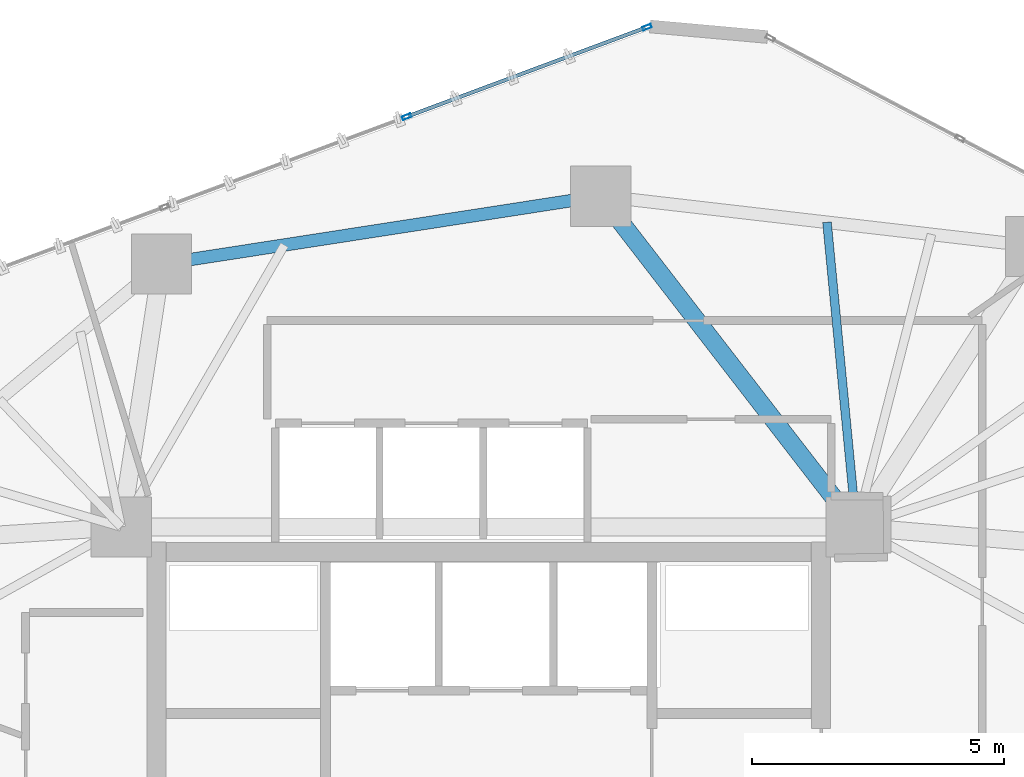
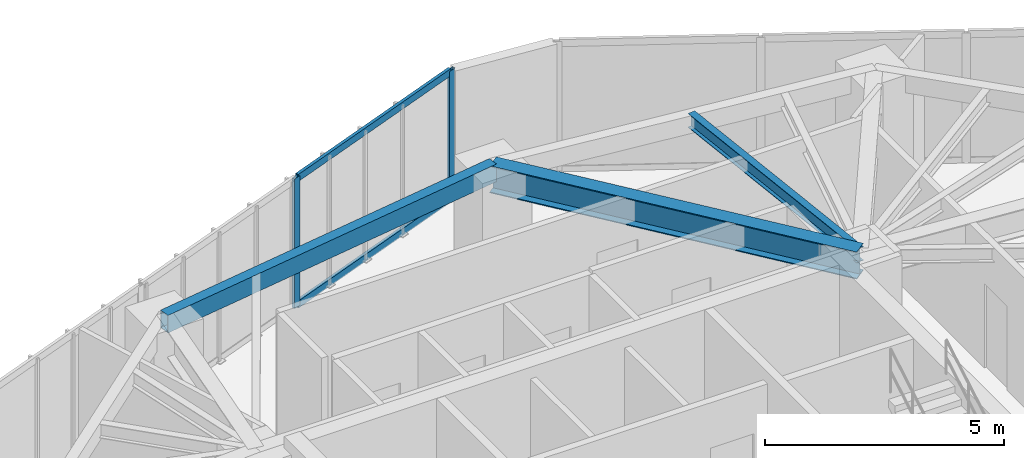
# One storey, part 13 of 22: 4 members, 3 beams, 1 element without a shape of its own.
"""IFC4 building model written with IfcOpenShell, lengths in metres."""

from ifc_helpers import new_model, si_unit, direction, frame, origin, origin_2d, place, context, subcontext, project, spatial, hollow_rectangle, i_section, extrude, source, transform, mapped, material, layer, layer_set, material_profile, profile_set, type_object, type_shapes, element, aggregate, save


model = new_model("IFC4")

# Units and contexts
model_context = context("Model", 3, precision=1e-05, world=origin(), true_north=direction((0.0, 1.0)))
body_context = subcontext(model_context, "Body", "Model", "MODEL_VIEW")
ifc_project = project(units=[si_unit("LENGTHUNIT", "METRE"), si_unit("AREAUNIT", "SQUARE_METRE"), si_unit("VOLUMEUNIT", "CUBIC_METRE"), si_unit("PLANEANGLEUNIT", "RADIAN"), si_unit("MASSUNIT", "GRAM", prefix="KILO")], contexts=[model_context])

# Site, building, storey
site_placement = place(None, origin())
site = spatial("IfcSite", under=ifc_project, at=site_placement, CompositionType="ELEMENT")
building_placement = place(site_placement, origin())
building = spatial("IfcBuilding", under=site, at=building_placement, Name="Talar Marvaseh", CompositionType="ELEMENT")
storey_placement = place(building_placement, frame((0.0, 0.0, 150.60009765625)))
storey = spatial("IfcBuildingStorey", under=building, at=storey_placement, Name="L39", CompositionType="ELEMENT", Elevation=150.60009765625)

# Beams
ifc_material_1 = material(Name="Steel S355", Category="steel")
ifc_material_profile_1 = material_profile(ifc_material_1, hollow_rectangle(XDim=0.25, YDim=0.449951171875, WallThickness=0.01611328125, at=origin_2d()), Name="RHS450x250x16")
ifc_profile_set_1 = profile_set([ifc_material_profile_1], Name="Steel S355")
beam_type_1 = type_object("IfcBeamType", Name="Zone 2 Perimeter Spandrel Beam RHS450x250x16", PredefinedType="SPANDREL", material=ifc_profile_set_1)
beam_1_placement = place(storey_placement, frame((19.5009765625, 42.123046875, 3.0849609375), z_axis=(0.988248879948, 0.152853365295, 0.0), x_axis=(-0.152853365295, 0.988248879948, 0.0)))
element("IfcBeam", 1, at=beam_1_placement, inside=storey, type_object=beam_type_1, Name="L39 Zone 2 Perimeter Spandrel Beam RHS450x250x16", PredefinedType="SPANDREL", context=body_context, shape_type="SweptSolid", body=[
    extrude(hollow_rectangle(XDim=0.25, YDim=0.449951171875, WallThickness=0.01611328125, at=origin_2d()), origin(), (0.0, 0.0, 1.0), 8.82470703125),
])
ifc_material_profile_2 = material_profile(ifc_material_1, i_section(OverallWidth=0.35498046875, OverallDepth=0.695068359375, WebThickness=0.015380859375, FlangeThickness=0.02490234375, at=origin_2d()), Name="W690x217")
ifc_profile_set_2 = profile_set([ifc_material_profile_2], Name="Steel S355")
beam_type_2 = type_object("IfcBeamType", Name="Zone 2 Radial Floor Girder W690x217", PredefinedType="BEAM", material=ifc_profile_set_2)
beam_2_placement = place(storey_placement, frame((28.221923828125, 43.471923828125, 2.96240234375), z_axis=(0.611428258763, -0.791299870079, 0.0), x_axis=(0.791299870079, 0.611428258763, 0.0)))
element("IfcBeam", 2, at=beam_2_placement, inside=storey, type_object=beam_type_2, Name="L39 Zone 2 Radial Floor Girder W690x217", PredefinedType="BEAM", context=body_context, shape_type="SweptSolid", body=[
    extrude(i_section(OverallWidth=0.35498046875, OverallDepth=0.695068359375, WebThickness=0.015380859375, FlangeThickness=0.02490234375, at=origin_2d()), origin(), (0.0, 0.0, 1.0), 8.305419921875),
])
ifc_material_profile_3 = material_profile(ifc_material_1, i_section(OverallWidth=0.172119140625, OverallDepth=0.35791015625, WebThickness=0.0078125, FlangeThickness=0.01318359375, at=origin_2d()), Name="W360x57")
ifc_profile_set_3 = profile_set([ifc_material_profile_3], Name="Steel S355")
beam_type_3 = type_object("IfcBeamType", Name="Zone 2 Secondary Floor Joist W360x57", PredefinedType="JOIST", material=ifc_profile_set_3)
beam_3_placement = place(storey_placement, frame((32.716796875, 42.951416015625, 3.130859375), z_axis=(0.095936604223, -0.995387446159, 0.0), x_axis=(0.995387446159, 0.095936604223, 0.0)))
element("IfcBeam", 3, at=beam_3_placement, inside=storey, type_object=beam_type_3, Name="L39 Zone 2 Secondary Floor Joist W360x57", PredefinedType="JOIST", context=body_context, shape_type="SweptSolid", body=[
    extrude(i_section(OverallWidth=0.172119140625, OverallDepth=0.35791015625, WebThickness=0.0078125, FlangeThickness=0.01318359375, at=origin_2d()), origin(), (0.0, 0.0, 1.0), 6.07958984375),
])

# Curtain wall, members
ifc_material_2 = material(Name="Architectural Aluminium", Category="aluminium")
ifc_layer = layer(ifc_material_2, 0.199951171875)
ifc_layer_set = layer_set([ifc_layer], Name="Architectural Aluminium")
curtain_wall_type = type_object("IfcCurtainWallType", Name="Unitised Acoustic Library Curtain Wall Z2", PredefinedType="NOTDEFINED", material=ifc_layer_set)
curtain_wall_placement = place(storey_placement, origin())
curtain_wall = element("IfcCurtainWall", 4, at=curtain_wall_placement, inside=storey, type_object=curtain_wall_type, Name="L39 Unitised Acoustic Library Curtain Wall Z2", PredefinedType="NOTDEFINED")
ifc_material_profile_4 = material_profile(ifc_material_2, hollow_rectangle(XDim=0.074951171875, YDim=0.179931640625, WallThickness=0.0048828125, at=origin_2d()), Name="RHS180x75x5")
ifc_profile_set_4 = profile_set([ifc_material_profile_4], Name="Architectural Aluminium")
member_type_1 = type_object("IfcMemberType", Name="Unitised Curtain Wall Transom RHS180x75x5", PredefinedType="USERDEFINED", material=ifc_profile_set_4)
shared_shape_1 = source(origin(), body_context, "Body", "SweptSolid", [
    extrude(hollow_rectangle(XDim=0.074951171875, YDim=0.179931640625, WallThickness=0.0048828125, at=origin_2d()), origin(), (0.0, 0.0, 1.0), 5.017578125),
])
type_shapes(member_type_1, [shared_shape_1])
member_1_placement = place(storey_placement, frame((24.40576171875, 45.060302734375, 0.037353515625), z_axis=(0.937080866375, 0.349112374279, 0.0), x_axis=(-0.349112374279, 0.937080866375, 0.0)))
member_1 = element("IfcMember", 5, at=member_1_placement, type_object=member_type_1, Name="CW-Z2 transom 3.1", ObjectType="TRANSOM", PredefinedType="USERDEFINED", context=body_context, shape_type="MappedRepresentation", body=[
    mapped(shared_shape_1, transform((0.0, 0.0, 0.0), x_axis=(1.0, 0.0, 0.0), y_axis=(0.0, 1.0, 0.0), z_axis=(0.0, 0.0, 1.0), scale=1.0)),
])
member_2_placement = place(storey_placement, frame((24.40576171875, 45.060302734375, 3.2724609375), z_axis=(0.937080866375, 0.349112374279, 0.0), x_axis=(-0.349112374279, 0.937080866375, 0.0)))
member_2 = element("IfcMember", 6, at=member_2_placement, type_object=member_type_1, Name="CW-Z2 transom 3.2", ObjectType="TRANSOM", PredefinedType="USERDEFINED", context=body_context, shape_type="MappedRepresentation", body=[
    mapped(shared_shape_1, transform((0.0, 0.0, 0.0), x_axis=(1.0, 0.0, 0.0), y_axis=(0.0, 1.0, 0.0), z_axis=(0.0, 0.0, 1.0), scale=1.0)),
])
ifc_material_profile_5 = material_profile(ifc_material_2, hollow_rectangle(XDim=0.074951171875, YDim=0.179931640625, WallThickness=0.0048828125, at=origin_2d()), Name="RHS180x75x5")
ifc_profile_set_5 = profile_set([ifc_material_profile_5], Name="Architectural Aluminium")
member_type_2 = type_object("IfcMemberType", Name="Unitised Curtain Wall Standard Mullion RHS180x75x5", PredefinedType="MULLION", material=ifc_profile_set_5)
shared_shape_2 = source(origin(), body_context, "Body", "SweptSolid", [
    extrude(hollow_rectangle(XDim=0.074951171875, YDim=0.179931640625, WallThickness=0.0048828125, at=origin_2d()), origin(), (0.0, 0.0, 1.0), 3.309814453125),
])
type_shapes(member_type_2, [shared_shape_2])
member_3_placement = place(storey_placement, frame((24.37060546875, 45.04736328125, 0.0), z_axis=(0.0, 0.0, 1.0), x_axis=(-0.349096045274, 0.937086949634, 0.0)))
member_3 = element("IfcMember", 7, at=member_3_placement, type_object=member_type_2, Name="CW-Z2 mullion 3", PredefinedType="MULLION", context=body_context, shape_type="MappedRepresentation", body=[
    mapped(shared_shape_2, transform((0.0, 0.0, 0.0), x_axis=(1.0, 0.0, 0.0), y_axis=(0.0, 1.0, 0.0), z_axis=(0.0, 0.0, 1.0), scale=1.0)),
])
member_4_placement = place(storey_placement, frame((29.142822265625, 46.8251953125, 0.0), z_axis=(0.0, 0.0, 1.0), x_axis=(-0.349096045274, 0.937086949634, 0.0)))
member_4 = element("IfcMember", 8, at=member_4_placement, type_object=member_type_2, Name="CW-Z2 mullion 4", PredefinedType="MULLION", context=body_context, shape_type="MappedRepresentation", body=[
    mapped(shared_shape_2, transform((0.0, 0.0, 0.0), x_axis=(1.0, 0.0, 0.0), y_axis=(0.0, 1.0, 0.0), z_axis=(0.0, 0.0, 1.0), scale=1.0)),
])
aggregate(curtain_wall, [member_3, member_4, member_1, member_2])

save(model, "model.ifc")
